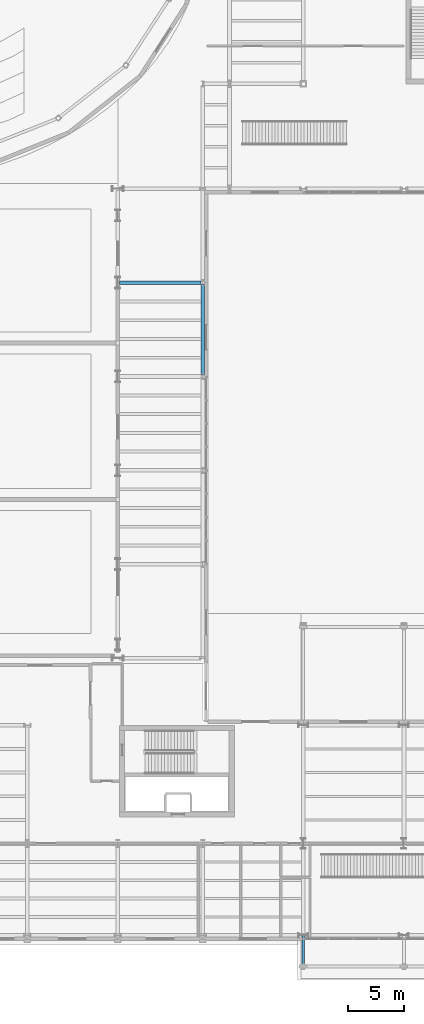
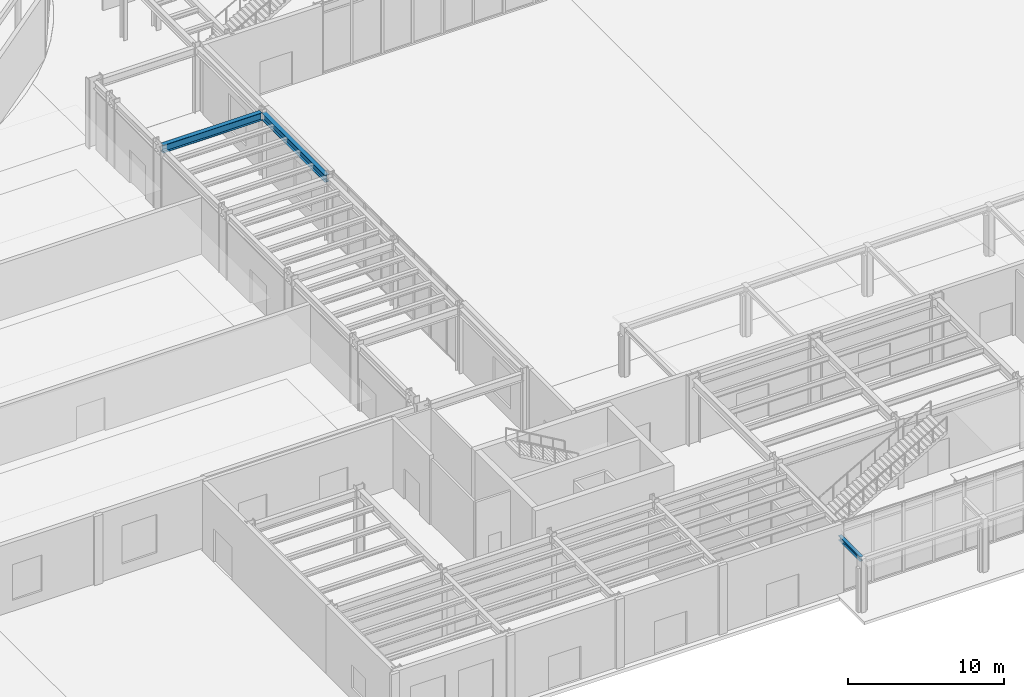
# One storey, part 23 of 94: 3 beams.
"""IFC4 building model written with IfcOpenShell, lengths in metres."""

from ifc_helpers import new_model, si_unit, direction, frame, origin, origin_2d, place, context, subcontext, project, spatial, i_section, extrude, material, material_profile, profile_set, type_object, element, save


model = new_model("IFC4")

# Units and contexts
model_context = context("Model", 3, precision=1e-05, world=origin(), true_north=direction((0.0, 1.0)))
body_context = subcontext(model_context, "Body", "Model", "MODEL_VIEW")
ifc_project = project(units=[si_unit("LENGTHUNIT", "METRE"), si_unit("AREAUNIT", "SQUARE_METRE"), si_unit("VOLUMEUNIT", "CUBIC_METRE"), si_unit("PLANEANGLEUNIT", "RADIAN"), si_unit("MASSUNIT", "GRAM", prefix="KILO")], contexts=[model_context])

# Site, building, storey
site_placement = place(None, origin())
site = spatial("IfcSite", under=ifc_project, at=site_placement, CompositionType="ELEMENT")
building_placement = place(site_placement, origin())
building = spatial("IfcBuilding", under=site, at=building_placement, Name="Sollismere Congress Hotel", CompositionType="ELEMENT")
storey_placement = place(building_placement, origin())
storey = spatial("IfcBuildingStorey", under=building, at=storey_placement, Name="L00", CompositionType="ELEMENT", Elevation=0.0)

# Beams
ifc_material = material(Name="Steel ASTM A992 Grade 50", Category="steel")
ifc_material_profile_1 = material_profile(ifc_material, i_section(OverallWidth=0.31494140625, OverallDepth=0.551025390625, WebThickness=0.01513671875, FlangeThickness=0.0244140625, at=origin_2d()), Name="W21X122")
ifc_profile_set_1 = profile_set([ifc_material_profile_1], Name="Steel ASTM A992 Grade 50")
beam_type_1 = type_object("IfcBeamType", Name="BM-G21H", PredefinedType="BEAM", material=ifc_profile_set_1)
beam_1_placement = place(storey_placement, frame((58.0, 50.139892578125, 4.839599609375), z_axis=(0.0, 1.0, 0.0), x_axis=(-1.0, 0.0, 0.0)))
element("IfcBeam", 1, at=beam_1_placement, inside=storey, type_object=beam_type_1, Name="Beam BM-L00-1249", PredefinedType="BEAM", context=body_context, shape_type="SweptSolid", body=[
    extrude(i_section(OverallWidth=0.31494140625, OverallDepth=0.551025390625, WebThickness=0.01513671875, FlangeThickness=0.0244140625, at=origin_2d()), origin(), (0.0, 0.0, 1.0), 8.1201171875),
])
ifc_material_profile_2 = material_profile(ifc_material, i_section(OverallWidth=0.324951171875, OverallDepth=0.612060546875, WebThickness=0.0126953125, FlangeThickness=0.01904296875, at=origin_2d()), Name="W24X104")
ifc_profile_set_2 = profile_set([ifc_material_profile_2], Name="Steel ASTM A992 Grade 50")
beam_type_2 = type_object("IfcBeamType", Name="BM-G24", PredefinedType="BEAM", material=ifc_profile_set_2)
beam_2_placement = place(storey_placement, frame((50.5400390625, 58.39990234375, 4.80908203125), z_axis=(1.0, 0.0, 0.0), x_axis=(0.0, 1.0, 0.0)))
element("IfcBeam", 2, at=beam_2_placement, inside=storey, type_object=beam_type_2, Name="Beam BM-L00-1181", PredefinedType="BEAM", context=body_context, shape_type="SweptSolid", body=[
    extrude(i_section(OverallWidth=0.324951171875, OverallDepth=0.612060546875, WebThickness=0.0126953125, FlangeThickness=0.01904296875, at=origin_2d()), origin(), (0.0, 0.0, 1.0), 7.320068359375),
])
ifc_material_profile_3 = material_profile(ifc_material, i_section(OverallWidth=0.25390625, OverallDepth=0.35595703125, WebThickness=0.010498046875, FlangeThickness=0.018310546875, at=origin_2d()), Name="W14X68")
ifc_profile_set_3 = profile_set([ifc_material_profile_3], Name="Steel ASTM A992 Grade 50")
beam_type_3 = type_object("IfcBeamType", Name="BM-LN14I", PredefinedType="LINTEL", material=ifc_profile_set_3)
beam_3_placement = place(storey_placement, frame((67.0, -2.800048828125, 4.02197265625), z_axis=(0.0, 1.0, 0.0), x_axis=(-1.0, 0.0, 0.0)))
element("IfcBeam", 3, at=beam_3_placement, inside=storey, type_object=beam_type_3, Name="Beam BM-L00-3847", PredefinedType="LINTEL", context=body_context, shape_type="SweptSolid", body=[
    extrude(i_section(OverallWidth=0.25390625, OverallDepth=0.35595703125, WebThickness=0.010498046875, FlangeThickness=0.018310546875, at=origin_2d()), origin(), (0.0, 0.0, 1.0), 2.800048828125),
])

save(model, "model.ifc")
